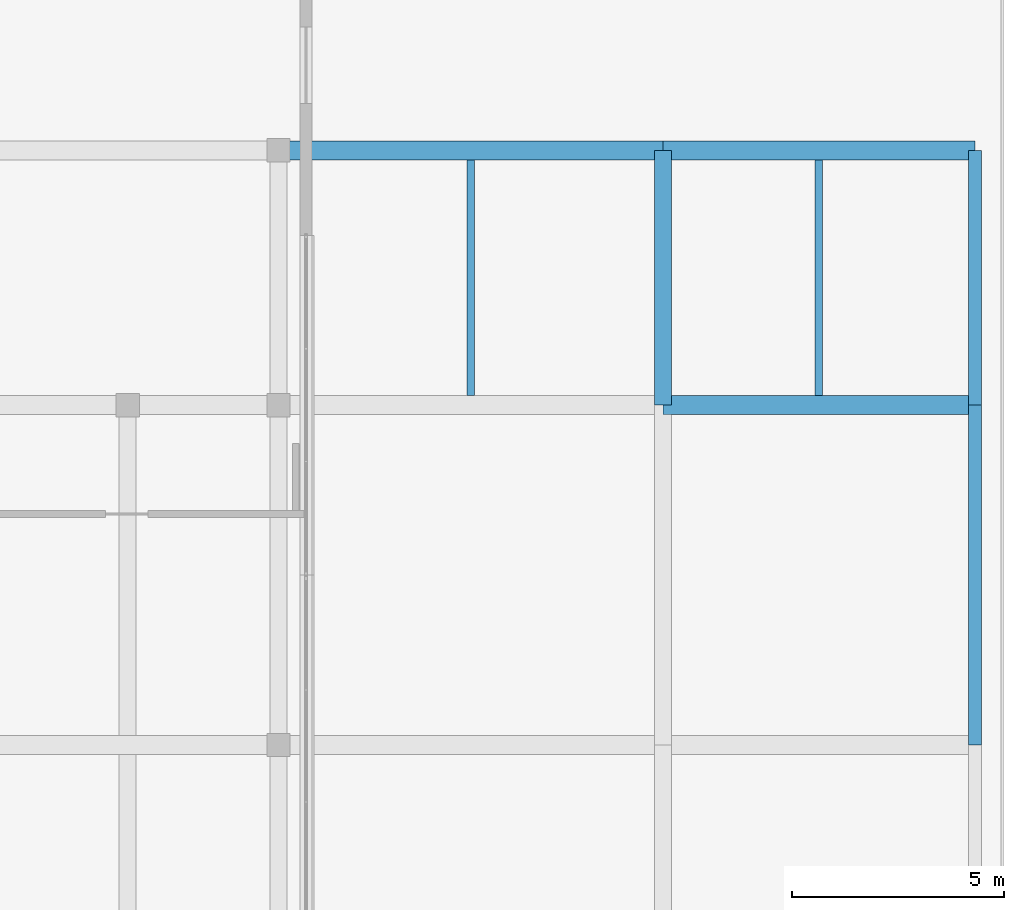
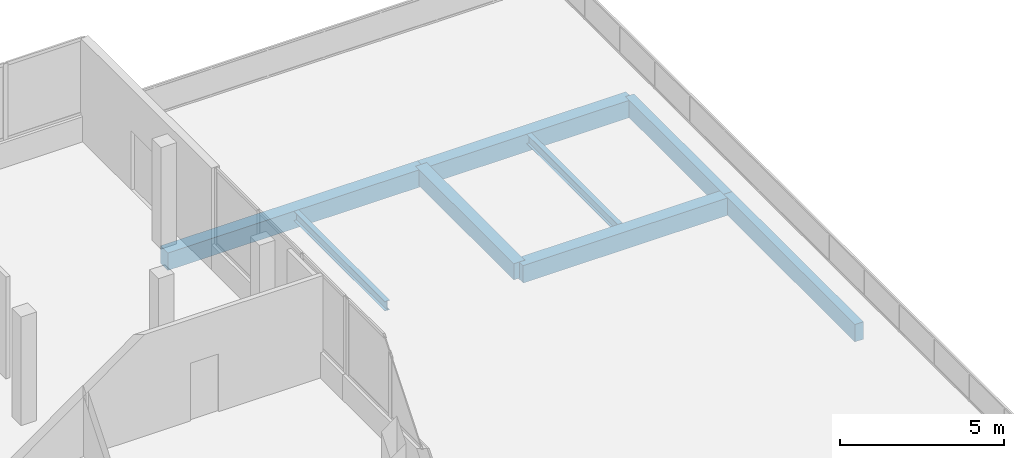
# One storey, part 48 of 66: 8 beams.
"""IFC4 building model written with IfcOpenShell, lengths in metres."""

from ifc_helpers import new_model, si_unit, direction, frame, origin, origin_2d, place, context, subcontext, project, spatial, rectangle, i_section, extrude, material, material_profile, profile_set, type_object, element, save


model = new_model("IFC4")

# Units and contexts
model_context = context("Model", 3, precision=1e-05, world=origin(), true_north=direction((0.0, 1.0)))
body_context = subcontext(model_context, "Body", "Model", "MODEL_VIEW")
ifc_project = project(units=[si_unit("LENGTHUNIT", "METRE"), si_unit("AREAUNIT", "SQUARE_METRE"), si_unit("VOLUMEUNIT", "CUBIC_METRE"), si_unit("PLANEANGLEUNIT", "RADIAN"), si_unit("MASSUNIT", "GRAM", prefix="KILO")], contexts=[model_context])

# Site, building, storey
site_placement = place(None, origin())
site = spatial("IfcSite", under=ifc_project, at=site_placement, CompositionType="ELEMENT")
building_placement = place(site_placement, origin())
building = spatial("IfcBuilding", under=site, at=building_placement, Name="Selatvlak General Hospital", CompositionType="ELEMENT")
storey_placement = place(building_placement, frame((0.0, 0.0, 31.35009765625)))
storey = spatial("IfcBuildingStorey", under=building, at=storey_placement, Name="L07", CompositionType="ELEMENT", Elevation=31.35009765625)

# Beams
ifc_material_1 = material(Name="Concrete C40/50", Category="concrete")
ifc_material_profile_1 = material_profile(ifc_material_1, rectangle(XDim=0.449951171875, YDim=0.64990234375, at=origin_2d()), Name="RC-BM 450x650")
ifc_profile_set_1 = profile_set([ifc_material_profile_1], Name="Concrete C40/50")
beam_type_1 = type_object("IfcBeamType", Name="BM-G04", PredefinedType="BEAM", material=ifc_profile_set_1)
beam_1_placement = place(storey_placement, frame((174.0, 108.0, -0.59716796875), z_axis=(1.0, 0.0, 0.0), x_axis=(0.0, 1.0, 0.0)))
element("IfcBeam", 1, at=beam_1_placement, inside=storey, type_object=beam_type_1, Name="Beam BMR-L07-2436", PredefinedType="BEAM", context=body_context, shape_type="SweptSolid", body=[
    extrude(rectangle(XDim=0.449951171875, YDim=0.64990234375, at=origin_2d()), origin(), (0.0, 0.0, 1.0), 7.35009765625),
])
beam_2_placement = place(storey_placement, frame((164.949951171875, 114.0, -0.59716796875), z_axis=(1.0, 0.0, 0.0), x_axis=(0.0, 1.0, 0.0)))
element("IfcBeam", 2, at=beam_2_placement, inside=storey, type_object=beam_type_1, Name="Beam BMR-L07-2447", PredefinedType="BEAM", context=body_context, shape_type="SweptSolid", body=[
    extrude(rectangle(XDim=0.449951171875, YDim=0.64990234375, at=origin_2d()), origin(), (0.0, 0.0, 1.0), 9.050048828125),
])
beam_3_placement = place(storey_placement, frame((174.0, 114.0, -0.59716796875), z_axis=(1.0, 0.0, 0.0), x_axis=(0.0, 1.0, 0.0)))
element("IfcBeam", 3, at=beam_3_placement, inside=storey, type_object=beam_type_1, Name="Beam BMR-L07-2448", PredefinedType="BEAM", context=body_context, shape_type="SweptSolid", body=[
    extrude(rectangle(XDim=0.449951171875, YDim=0.64990234375, at=origin_2d()), origin(), (0.0, 0.0, 1.0), 7.35009765625),
])
ifc_material_profile_2 = material_profile(ifc_material_1, rectangle(XDim=0.39990234375, YDim=0.60009765625, at=origin_2d()), Name="RC-BM 400x600")
ifc_profile_set_2 = profile_set([ifc_material_profile_2], Name="Concrete C40/50")
beam_type_2 = type_object("IfcBeamType", Name="BM-G05", PredefinedType="BEAM", material=ifc_profile_set_2)
beam_4_placement = place(storey_placement, frame((174.0, 108.0, -0.572021484375), z_axis=(0.0, 1.0, 0.0), x_axis=(-1.0, 0.0, 0.0)))
element("IfcBeam", 4, at=beam_4_placement, inside=storey, type_object=beam_type_2, Name="Beam BMR-L07-2543", PredefinedType="BEAM", context=body_context, shape_type="SweptSolid", body=[
    extrude(rectangle(XDim=0.39990234375, YDim=0.60009765625, at=origin_2d()), origin(), (0.0, 0.0, 1.0), 6.0),
])
ifc_material_2 = material(Name="Steel S355", Category="steel")
ifc_material_profile_3 = material_profile(ifc_material_2, i_section(OverallWidth=0.17138671875, OverallDepth=0.35498046875, WebThickness=0.00732421875, FlangeThickness=0.011474609375, at=origin_2d()), Name="UB 356x171x51")
ifc_profile_set_3 = profile_set([ifc_material_profile_3], Name="Steel S355")
beam_type_3 = type_object("IfcBeamType", Name="BM-J05", PredefinedType="JOIST", material=ifc_profile_set_3)
for number, where, z_axis, x_axis, name in (
    (5, (169.47509765625, 108.22509765625, -0.44921875), (0.0, 1.0, 0.0), (-1.0, 0.0, 0.0), "Beam BMR-L07-2551"),
    (6, (177.675048828125, 108.22509765625, -0.44921875), (0.0, 1.0, 0.0), (-1.0, 0.0, 0.0), "Beam BMR-L07-2552"),
):
    element("IfcBeam", number, at=place(storey_placement, frame(where, z_axis=z_axis, x_axis=x_axis)), inside=storey, type_object=beam_type_3, Name=name, PredefinedType="JOIST", context=body_context, shape_type="SweptSolid", body=[
        extrude(i_section(OverallWidth=0.17138671875, OverallDepth=0.35498046875, WebThickness=0.00732421875, FlangeThickness=0.011474609375, at=origin_2d()), origin(), (0.0, 0.0, 1.0), 5.5498046875),
    ])
ifc_material_profile_4 = material_profile(ifc_material_1, rectangle(XDim=0.300048828125, YDim=0.64990234375, at=origin_2d()), Name="RC-SP 300x650")
ifc_profile_set_4 = profile_set([ifc_material_profile_4], Name="Concrete C40/50")
beam_type_4 = type_object("IfcBeamType", Name="BM-SP1", PredefinedType="SPANDREL", material=ifc_profile_set_4)
beam_5_placement = place(storey_placement, frame((181.35009765625, 100.0, -0.59716796875), z_axis=(0.0, 1.0, 0.0), x_axis=(-1.0, 0.0, 0.0)))
element("IfcBeam", 7, at=beam_5_placement, inside=storey, type_object=beam_type_4, Name="Beam BMR-L07-2546", PredefinedType="SPANDREL", context=body_context, shape_type="SweptSolid", body=[
    extrude(rectangle(XDim=0.300048828125, YDim=0.64990234375, at=origin_2d()), origin(), (0.0, 0.0, 1.0), 8.0),
])
beam_6_placement = place(storey_placement, frame((181.35009765625, 108.0, -0.59716796875), z_axis=(0.0, 1.0, 0.0), x_axis=(-1.0, 0.0, 0.0)))
element("IfcBeam", 8, at=beam_6_placement, inside=storey, type_object=beam_type_4, Name="Beam BMR-L07-2547", PredefinedType="SPANDREL", context=body_context, shape_type="SweptSolid", body=[
    extrude(rectangle(XDim=0.300048828125, YDim=0.64990234375, at=origin_2d()), origin(), (0.0, 0.0, 1.0), 6.0),
])

save(model, "model.ifc")
